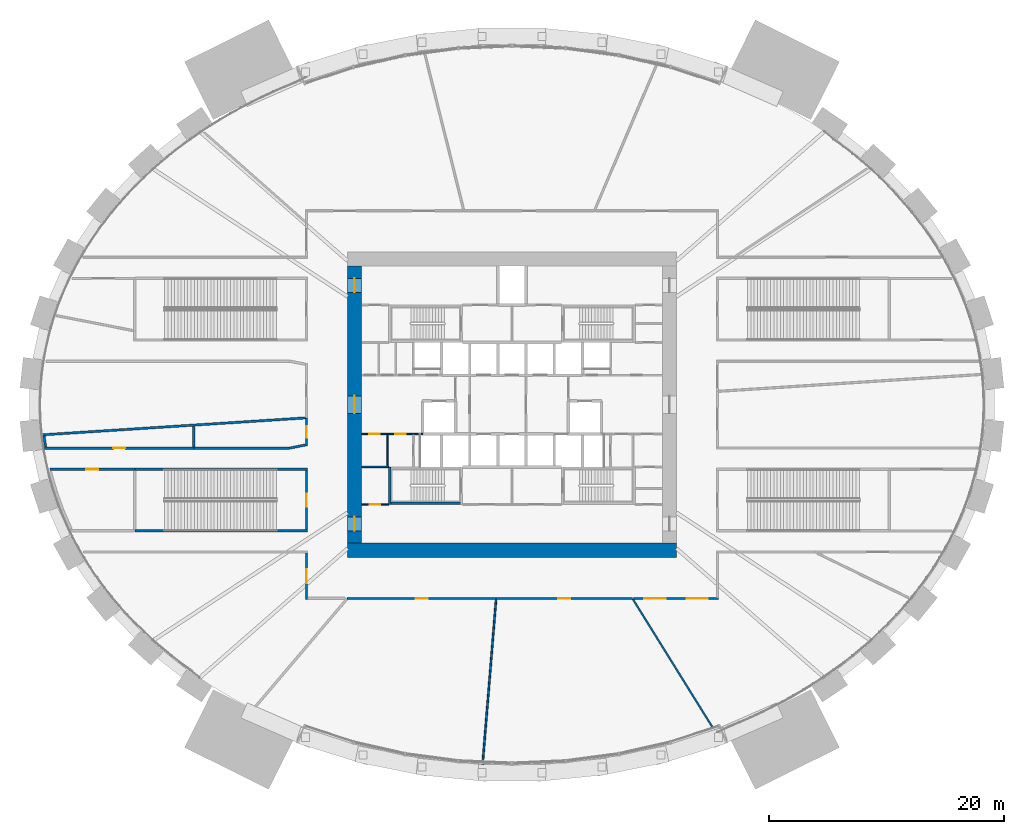
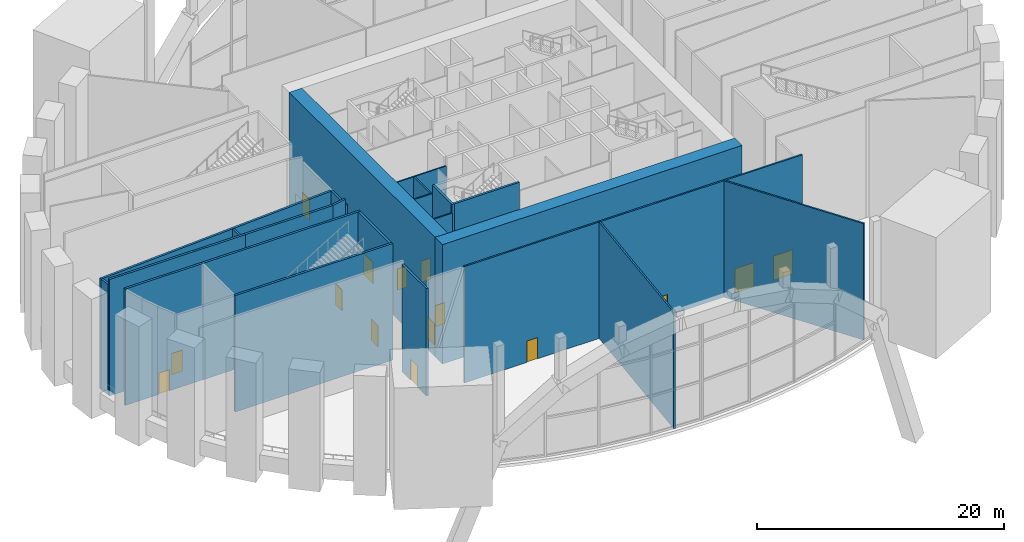
# One storey, part 7 of 21: 25 walls, 15 doors, 15 openings.
"""IFC4 building model written with IfcOpenShell, lengths in metres."""

from ifc_helpers import new_model, si_unit, direction, frame, frame_2d, origin, place, context, subcontext, project, spatial, rectangle, extrude, source, transform, mapped, material, layer, layer_set, type_object, element, fill, save


model = new_model("IFC4")

# Units and contexts
model_context = context("Model", 3, precision=1e-05, world=origin(), true_north=direction((0.0, 1.0)))
body_context = subcontext(model_context, "Body", "Model", "MODEL_VIEW")
ifc_project = project(units=[si_unit("LENGTHUNIT", "METRE"), si_unit("AREAUNIT", "SQUARE_METRE"), si_unit("VOLUMEUNIT", "CUBIC_METRE"), si_unit("PLANEANGLEUNIT", "RADIAN"), si_unit("MASSUNIT", "GRAM", prefix="KILO")], contexts=[model_context])

# Site, building, storey
site_placement = place(None, origin())
site = spatial("IfcSite", under=ifc_project, at=site_placement, CompositionType="ELEMENT")
building_placement = place(site_placement, origin())
building = spatial("IfcBuilding", under=site, at=building_placement, Name="Embergate Tower", CompositionType="ELEMENT")
storey_placement = place(building_placement, frame((0.0, 0.0, 12.0)))
storey = spatial("IfcBuildingStorey", under=building, at=storey_placement, Name="L01", CompositionType="ELEMENT", Elevation=12.0)

# Wall
ifc_material_1 = material(Name="Concrete C80", Category="concrete")
ifc_layer_1 = layer(ifc_material_1, 1.199951171875)
ifc_layer_set_1 = layer_set([ifc_layer_1], Name="Concrete C80")
wall_type_1 = type_object("IfcWallType", Name="Core outer wall C80 1200", PredefinedType="SHEAR", material=ifc_layer_set_1)
shared_shape_1 = source(origin(), body_context, "Body", "SweptSolid", [
    extrude(rectangle(XDim=28.0, YDim=1.199951171875, at=frame_2d((14.0, 0.0))), origin(), (0.0, 0.0, 1.0), 11.800048828125),
])
wall_1_placement = place(storey_placement, frame((-14.0, -12.39990234375, -0.300048828125), z_axis=(0.0, 0.0, 1.0), x_axis=(1.0, 0.0, 0.0)))
element("IfcWall", 1, at=wall_1_placement, inside=storey, type_object=wall_type_1, Name="CW-L01-S", PredefinedType="SHEAR", context=body_context, shape_type="MappedRepresentation", body=[
    mapped(shared_shape_1, transform((0.0, 0.0, 0.0))),
])

# Wall, openings, doors
shared_shape_2 = source(origin(), body_context, "Body", "SweptSolid", [
    extrude(rectangle(XDim=23.60009765625, YDim=1.199951171875, at=frame_2d((11.800048828125, 0.0))), origin(), (0.0, 0.0, 1.0), 11.800048828125),
])
wall_2_placement = place(storey_placement, frame((-13.39990234375, -11.800048828125, -0.300048828125), z_axis=(0.0, 0.0, 1.0), x_axis=(0.0, 1.0, 0.0)))
wall_2 = element("IfcWall", 2, at=wall_2_placement, inside=storey, type_object=wall_type_1, Name="CW-L01-W", PredefinedType="SHEAR", context=body_context, shape_type="MappedRepresentation", body=[
    mapped(shared_shape_2, transform((0.0, 0.0, 0.0))),
])
shared_shape_3 = source(origin(), body_context, "Body", "SweptSolid", [
    extrude(rectangle(XDim=1.199951171875, YDim=2.10009765625, at=frame_2d((0.60009765625, 1.050048828125))), frame((0.0, 0.60986328125, 0.0), z_axis=(0.0, -1.0, 0.0), x_axis=(1.0, 0.0, 0.0)), (0.0, 0.0, 1.0), 1.219970703125),
])
opening_1_placement = place(wall_2_placement, frame((21.35009765625, 0.0, 0.300048828125)))
opening_1 = element("IfcOpeningElement", 3, at=opening_1_placement, cuts=wall_2, Name="Opening IF-1", PredefinedType="OPENING", context=body_context, shape_type="MappedRepresentation", body=[
    mapped(shared_shape_3, transform((0.0, 0.0, 0.0))),
])
opening_2_placement = place(wall_2_placement, frame((1.050048828125, 0.0, 0.300048828125)))
opening_2 = element("IfcOpeningElement", 4, at=opening_2_placement, cuts=wall_2, Name="Opening IF-1", PredefinedType="OPENING", context=body_context, shape_type="MappedRepresentation", body=[
    mapped(shared_shape_3, transform((0.0, 0.0, 0.0))),
])
shared_shape_4 = source(origin(), body_context, "Body", "SweptSolid", [
    extrude(rectangle(XDim=1.5, YDim=2.10009765625, at=frame_2d((0.75, 1.050048828125))), frame((0.0, 0.60986328125, 0.0), z_axis=(0.0, -1.0, 0.0), x_axis=(1.0, 0.0, 0.0)), (0.0, 0.0, 1.0), 1.219970703125),
])
opening_3_placement = place(wall_2_placement, frame((11.050048828125, 0.0, 0.300048828125)))
opening_3 = element("IfcOpeningElement", 5, at=opening_3_placement, cuts=wall_2, Name="Opening IF-3", PredefinedType="OPENING", context=body_context, shape_type="MappedRepresentation", body=[
    mapped(shared_shape_4, transform((0.0, 0.0, 0.0))),
])
ifc_material_2 = material(Name="Escape fire door 1200")
door_type_1 = type_object("IfcDoorType", Name="Escape fire door 1200", OperationType="SINGLE_SWING_LEFT", PredefinedType="DOOR", material=ifc_material_2)
shared_shape_5 = source(origin(), body_context, "Body", "SweptSolid", [
    extrude(rectangle(XDim=1.199951171875, YDim=2.10009765625, at=frame_2d((0.60009765625, 1.050048828125))), frame((0.0, 0.02490234375, 0.0), z_axis=(0.0, -1.0, 0.0), x_axis=(1.0, 0.0, 0.0)), (0.0, 0.0, 1.0), 0.050048828125),
])
door_1_placement = place(opening_1_placement, origin())
door_1 = element("IfcDoor", 6, at=door_1_placement, inside=storey, type_object=door_type_1, Name="IF-1 door", OperationType="SINGLE_SWING_LEFT", OverallHeight=2.10009765625, OverallWidth=1.199951171875, PredefinedType="DOOR", context=body_context, shape_type="MappedRepresentation", body=[
    mapped(shared_shape_5, transform((0.0, 0.0, 0.0))),
])
fill(opening_1, door_1)
door_2_placement = place(opening_2_placement, origin())
door_2 = element("IfcDoor", 7, at=door_2_placement, inside=storey, type_object=door_type_1, Name="IF-1 door", OperationType="SINGLE_SWING_LEFT", OverallHeight=2.10009765625, OverallWidth=1.199951171875, PredefinedType="DOOR", context=body_context, shape_type="MappedRepresentation", body=[
    mapped(shared_shape_5, transform((0.0, 0.0, 0.0))),
])
fill(opening_2, door_2)
ifc_material_3 = material(Name="Lobby fire door pair 1500")
door_type_2 = type_object("IfcDoorType", Name="Lobby fire door pair 1500", OperationType="DOUBLE_DOOR_SINGLE_SWING", PredefinedType="DOOR", material=ifc_material_3)
shared_shape_6 = source(origin(), body_context, "Body", "SweptSolid", [
    extrude(rectangle(XDim=1.5, YDim=2.10009765625, at=frame_2d((0.75, 1.050048828125))), frame((0.0, 0.02490234375, 0.0), z_axis=(0.0, -1.0, 0.0), x_axis=(1.0, 0.0, 0.0)), (0.0, 0.0, 1.0), 0.050048828125),
])
door_3_placement = place(opening_3_placement, origin())
door_3 = element("IfcDoor", 8, at=door_3_placement, inside=storey, type_object=door_type_2, Name="IF-3 door", OperationType="DOUBLE_DOOR_SINGLE_SWING", OverallHeight=2.10009765625, OverallWidth=1.5, PredefinedType="DOOR", context=body_context, shape_type="MappedRepresentation", body=[
    mapped(shared_shape_6, transform((0.0, 0.0, 0.0))),
])
fill(opening_3, door_3)

# Wall
ifc_material_4 = material(Name="Concrete C50", Category="concrete")
ifc_layer_2 = layer(ifc_material_4, 0.199951171875)
ifc_layer_set_2 = layer_set([ifc_layer_2], Name="Concrete C50")
wall_type_2 = type_object("IfcWallType", Name="Stair enclosure wall reinforced concrete 250", PredefinedType="SHEAR", material=ifc_layer_set_2)
shared_shape_7 = source(origin(), body_context, "Body", "SweptSolid", [
    extrude(rectangle(XDim=6.300048828125, YDim=0.199951171875, at=frame_2d((3.14990234375, 0.0))), origin(), (0.0, 0.0, 1.0), 11.5),
])
wall_3_placement = place(storey_placement, frame((-10.5, -8.39990234375, 0.0), z_axis=(0.0, 0.0, 1.0), x_axis=(1.0, 0.0, 0.0)))
element("IfcWall", 9, at=wall_3_placement, inside=storey, type_object=wall_type_2, Name="SE-1 wall", PredefinedType="SHEAR", context=body_context, shape_type="MappedRepresentation", body=[
    mapped(shared_shape_7, transform((0.0, 0.0, 0.0))),
])

# Wall, openings, doors
ifc_material_5 = material(Name="Core partition blockwork 120")
ifc_layer_3 = layer(ifc_material_5, 0.1201171875)
ifc_layer_set_3 = layer_set([ifc_layer_3], Name="Core partition blockwork 120")
wall_type_3 = type_object("IfcWallType", Name="Core partition blockwork 120", PredefinedType="PARTITIONING", material=ifc_layer_set_3)
shared_shape_8 = source(origin(), body_context, "Body", "SweptSolid", [
    extrude(rectangle(XDim=5.199951171875, YDim=0.1201171875, at=frame_2d((2.60009765625, 0.0))), origin(), (0.0, 0.0, 1.0), 10.699951171875),
])
wall_4_placement = place(storey_placement, frame((-7.60009765625, -2.5, 0.0), z_axis=(0.0, 0.0, 1.0), x_axis=(-1.0, 0.0, 0.0)))
wall_4 = element("IfcWall", 10, at=wall_4_placement, inside=storey, type_object=wall_type_3, Name="IP-3 wall", PredefinedType="PARTITIONING", context=body_context, shape_type="MappedRepresentation", body=[
    mapped(shared_shape_8, transform((0.0, 0.0, 0.0))),
])
shared_shape_9 = source(origin(), body_context, "Body", "SweptSolid", [
    extrude(rectangle(XDim=0.89990234375, YDim=2.10009765625, at=frame_2d((0.449951171875, 1.050048828125))), frame((0.0, 0.070068359375, 0.0), z_axis=(0.0, -1.0, 0.0), x_axis=(1.0, 0.0, 0.0)), (0.0, 0.0, 1.0), 0.14013671875),
])
opening_4_placement = place(wall_4_placement, frame((3.64990234375, 0.0, 0.0)))
opening_4 = element("IfcOpeningElement", 11, at=opening_4_placement, cuts=wall_4, Name="Opening ID-1", PredefinedType="OPENING", context=body_context, shape_type="MappedRepresentation", body=[
    mapped(shared_shape_9, transform((0.0, 0.0, 0.0))),
])
opening_5_placement = place(wall_4_placement, frame((1.449951171875, 0.0, 0.0)))
opening_5 = element("IfcOpeningElement", 12, at=opening_5_placement, cuts=wall_4, Name="Opening ID-1", PredefinedType="OPENING", context=body_context, shape_type="MappedRepresentation", body=[
    mapped(shared_shape_9, transform((0.0, 0.0, 0.0))),
])
ifc_material_6 = material(Name="Interior door 900")
door_type_3 = type_object("IfcDoorType", Name="Interior door 900", OperationType="SINGLE_SWING_LEFT", PredefinedType="DOOR", material=ifc_material_6)
shared_shape_10 = source(origin(), body_context, "Body", "SweptSolid", [
    extrude(rectangle(XDim=0.89990234375, YDim=2.10009765625, at=frame_2d((0.449951171875, 1.050048828125))), frame((0.0, 0.02490234375, 0.0), z_axis=(0.0, -1.0, 0.0), x_axis=(1.0, 0.0, 0.0)), (0.0, 0.0, 1.0), 0.050048828125),
])
door_4_placement = place(opening_4_placement, origin())
door_4 = element("IfcDoor", 13, at=door_4_placement, inside=storey, type_object=door_type_3, Name="ID-1 door", OperationType="SINGLE_SWING_RIGHT", OverallHeight=2.10009765625, OverallWidth=0.89990234375, PredefinedType="DOOR", context=body_context, shape_type="MappedRepresentation", body=[
    mapped(shared_shape_10, transform((0.0, 0.0, 0.0))),
])
fill(opening_4, door_4)
door_5_placement = place(opening_5_placement, origin())
door_5 = element("IfcDoor", 14, at=door_5_placement, inside=storey, type_object=door_type_3, Name="ID-1 door", OperationType="SINGLE_SWING_RIGHT", OverallHeight=2.10009765625, OverallWidth=0.89990234375, PredefinedType="DOOR", context=body_context, shape_type="MappedRepresentation", body=[
    mapped(shared_shape_10, transform((0.0, 0.0, 0.0))),
])
fill(opening_5, door_5)

# Wall
shared_shape_11 = source(origin(), body_context, "Body", "SweptSolid", [
    extrude(rectangle(XDim=3.199951171875, YDim=0.199951171875, at=frame_2d((1.60009765625, 0.0))), origin(), (0.0, 0.0, 1.0), 11.5),
])
wall_5_placement = place(storey_placement, frame((-10.39990234375, -5.300048828125, 0.0), z_axis=(0.0, 0.0, 1.0), x_axis=(0.0, -1.0, 0.0)))
element("IfcWall", 15, at=wall_5_placement, inside=storey, type_object=wall_type_2, Name="SE-1 wall", PredefinedType="SHEAR", context=body_context, shape_type="MappedRepresentation", body=[
    mapped(shared_shape_11, transform((0.0, 0.0, 0.0))),
])

# Wall, opening, door
shared_shape_12 = source(origin(), body_context, "Body", "SweptSolid", [
    extrude(rectangle(XDim=2.300048828125, YDim=0.1201171875, at=frame_2d((1.14990234375, 0.0))), origin(), (0.0, 0.0, 1.0), 10.699951171875),
])
wall_6_placement = place(storey_placement, frame((-10.5, -8.5, 0.0), z_axis=(0.0, 0.0, 1.0), x_axis=(-1.0, 0.0, 0.0)))
wall_6 = element("IfcWall", 16, at=wall_6_placement, inside=storey, type_object=wall_type_3, Name="IP-3 wall", PredefinedType="PARTITIONING", context=body_context, shape_type="MappedRepresentation", body=[
    mapped(shared_shape_12, transform((0.0, 0.0, 0.0))),
])
opening_6_placement = place(wall_6_placement, frame((0.699951171875, 0.0, 0.0)))
opening_6 = element("IfcOpeningElement", 17, at=opening_6_placement, cuts=wall_6, Name="Opening ID-1", PredefinedType="OPENING", context=body_context, shape_type="MappedRepresentation", body=[
    mapped(shared_shape_9, transform((0.0, 0.0, 0.0))),
])
door_6_placement = place(opening_6_placement, origin())
door_6 = element("IfcDoor", 18, at=door_6_placement, inside=storey, type_object=door_type_3, Name="ID-1 door", OperationType="SINGLE_SWING_LEFT", OverallHeight=2.10009765625, OverallWidth=0.89990234375, PredefinedType="DOOR", context=body_context, shape_type="MappedRepresentation", body=[
    mapped(shared_shape_10, transform((0.0, 0.0, 0.0))),
])
fill(opening_6, door_6)

# Walls
wall_7_placement = place(storey_placement, frame((-12.800048828125, -5.300048828125, 0.0), z_axis=(0.0, 0.0, 1.0), x_axis=(1.0, 0.0, 0.0)))
element("IfcWall", 19, at=wall_7_placement, inside=storey, type_object=wall_type_3, Name="IP-3 wall", PredefinedType="PARTITIONING", context=body_context, shape_type="MappedRepresentation", body=[
    mapped(shared_shape_12, transform((0.0, 0.0, 0.0))),
])
shared_shape_13 = source(origin(), body_context, "Body", "SweptSolid", [
    extrude(rectangle(XDim=2.679931640625, YDim=0.1201171875, at=frame_2d((1.33984375, 0.0))), origin(), (0.0, 0.0, 1.0), 10.699951171875),
])
wall_8_placement = place(storey_placement, frame((-10.60009765625, -5.239990234375, 0.0), z_axis=(0.0, 0.0, 1.0), x_axis=(0.0, 1.0, 0.0)))
element("IfcWall", 20, at=wall_8_placement, inside=storey, type_object=wall_type_3, Name="IP-3 wall", PredefinedType="PARTITIONING", context=body_context, shape_type="MappedRepresentation", body=[
    mapped(shared_shape_13, transform((0.0, 0.0, 0.0))),
])
ifc_material_7 = material(Name="Blockwork, plastered", Category="masonry")
ifc_layer_4 = layer(ifc_material_7, 0.199951171875)
ifc_layer_set_4 = layer_set([ifc_layer_4], Name="Blockwork, plastered")
wall_type_4 = type_object("IfcWallType", Name="Partition wall 200 block", PredefinedType="PARTITIONING", material=ifc_layer_set_4)
shared_shape_14 = source(origin(), body_context, "Body", "SweptSolid", [
    extrude(rectangle(XDim=0.95556640625, YDim=0.199951171875, at=frame_2d((0.477783203125, 0.0))), origin(), (0.0, 0.0, 1.0), 10.912109375),
])
wall_9_placement = place(storey_placement, frame((-39.7099609375, -3.60107421875, 0.0), z_axis=(0.0, 0.0, 1.0), x_axis=(-0.14127828814, 0.989969921412, 0.0)))
element("IfcWall", 21, at=wall_9_placement, inside=storey, type_object=wall_type_4, Name="Partition 002", PredefinedType="PARTITIONING", context=body_context, shape_type="MappedRepresentation", body=[
    mapped(shared_shape_14, transform((0.0, 0.0, 0.0))),
])

# Wall, opening, door
shared_shape_15 = source(origin(), body_context, "Body", "SweptSolid", [
    extrude(rectangle(XDim=7.222900390625, YDim=0.199951171875, at=frame_2d((3.611328125, 0.0))), origin(), (0.0, 0.0, 1.0), 11.5),
])
wall_10_placement = place(storey_placement, frame((-39.343017578125, -5.5, 0.0), z_axis=(0.0, 0.0, 1.0), x_axis=(1.0, 0.0, 0.0)))
wall_10 = element("IfcWall", 22, at=wall_10_placement, inside=storey, type_object=wall_type_4, Name="Partition 003", PredefinedType="PARTITIONING", context=body_context, shape_type="MappedRepresentation", body=[
    mapped(shared_shape_15, transform((0.0, 0.0, 0.0))),
])
shared_shape_16 = source(origin(), body_context, "Body", "SweptSolid", [
    extrude(rectangle(XDim=1.0, YDim=2.10009765625, at=frame_2d((0.5, 1.050048828125))), frame((0.0, 0.10986328125, 0.0), z_axis=(0.0, -1.0, 0.0), x_axis=(1.0, 0.0, 0.0)), (0.0, 0.0, 1.0), 0.219970703125),
])
opening_7_placement = place(wall_10_placement, frame((3.112060546875, 0.0, 0.0)))
opening_7 = element("IfcOpeningElement", 23, at=opening_7_placement, cuts=wall_10, Name="Opening DS-033", PredefinedType="OPENING", context=body_context, shape_type="MappedRepresentation", body=[
    mapped(shared_shape_16, transform((0.0, 0.0, 0.0))),
])
ifc_material_8 = material(Name="Timber door leaf, steel frame", Category="steel")
door_type_4 = type_object("IfcDoorType", Name="Single door 1000x2100", OperationType="SINGLE_SWING_LEFT", PredefinedType="DOOR", material=ifc_material_8)
shared_shape_17 = source(origin(), body_context, "Body", "SweptSolid", [
    extrude(rectangle(XDim=1.0, YDim=2.10009765625, at=frame_2d((0.5, 1.050048828125))), frame((0.0, 0.02490234375, 0.0), z_axis=(0.0, -1.0, 0.0), x_axis=(1.0, 0.0, 0.0)), (0.0, 0.0, 1.0), 0.050048828125),
])
door_7_placement = place(opening_7_placement, origin())
door_7 = element("IfcDoor", 24, at=door_7_placement, inside=storey, type_object=door_type_4, Name="Door to Baby care toilet", OperationType="SINGLE_SWING_LEFT", OverallHeight=2.10009765625, OverallWidth=1.0, PredefinedType="DOOR", context=body_context, shape_type="MappedRepresentation", body=[
    mapped(shared_shape_17, transform((0.0, 0.0, 0.0))),
])
fill(opening_7, door_7)

# Walls
ifc_material_9 = material(Name="Concrete C40", Category="concrete")
ifc_layer_5 = layer(ifc_material_9, 0.199951171875)
ifc_layer_set_5 = layer_set([ifc_layer_5], Name="Concrete C40")
wall_type_5 = type_object("IfcWallType", Name="Stair enclosure wall RC 200", PredefinedType="STANDARD", material=ifc_layer_set_5)
shared_shape_18 = source(origin(), body_context, "Body", "SweptSolid", [
    extrude(rectangle(XDim=14.72021484375, YDim=0.199951171875, at=frame_2d((7.360107421875, 0.0))), origin(), (0.0, 0.0, 1.0), 11.5),
])
for number, where, z_axis, x_axis, name in (
    (25, (-32.1201171875, -10.75, 0.0), (0.0, 0.0, 1.0), (1.0, 0.0, 0.0), "Stair wall 010"),
    (26, (-17.39990234375, -5.5, 0.0), (0.0, 0.0, 1.0), (-1.0, 0.0, 0.0), "Stair wall 022"),
):
    element("IfcWall", number, at=place(storey_placement, frame(where, z_axis=z_axis, x_axis=x_axis)), inside=storey, type_object=wall_type_5, Name=name, PredefinedType="STANDARD", context=body_context, shape_type="MappedRepresentation", body=[
        mapped(shared_shape_18, transform((0.0, 0.0, 0.0))),
    ])

# Wall, opening, door
shared_shape_19 = source(origin(), body_context, "Body", "SweptSolid", [
    extrude(rectangle(XDim=12.7119140625, YDim=0.199951171875, at=frame_2d((6.35595703125, 0.0))), origin(), (0.0, 0.0, 1.0), 11.5),
])
wall_11_placement = place(storey_placement, frame((-27.083984375, -3.699951171875, 0.0), z_axis=(0.0, 0.0, 1.0), x_axis=(-1.0, 0.0, 0.0)))
wall_11 = element("IfcWall", 27, at=wall_11_placement, inside=storey, type_object=wall_type_4, Name="Partition 016", PredefinedType="PARTITIONING", context=body_context, shape_type="MappedRepresentation", body=[
    mapped(shared_shape_19, transform((0.0, 0.0, 0.0))),
])
opening_8_placement = place(wall_11_placement, frame((5.85595703125, 0.0, 0.0)))
opening_8 = element("IfcOpeningElement", 28, at=opening_8_placement, cuts=wall_11, Name="Opening DS-032", PredefinedType="OPENING", context=body_context, shape_type="MappedRepresentation", body=[
    mapped(shared_shape_16, transform((0.0, 0.0, 0.0))),
])
door_8_placement = place(opening_8_placement, origin())
door_8 = element("IfcDoor", 29, at=door_8_placement, inside=storey, type_object=door_type_4, Name="Door to Baby care toilet", OperationType="SINGLE_SWING_LEFT", OverallHeight=2.10009765625, OverallWidth=1.0, PredefinedType="DOOR", context=body_context, shape_type="MappedRepresentation", body=[
    mapped(shared_shape_17, transform((0.0, 0.0, 0.0))),
])
fill(opening_8, door_8)

# Walls
shared_shape_20 = source(origin(), body_context, "Body", "SweptSolid", [
    extrude(rectangle(XDim=1.756103515625, YDim=0.199951171875, at=frame_2d((0.8779296875, 0.0))), origin(), (0.0, 0.0, 1.0), 10.912109375),
])
wall_12_placement = place(storey_placement, frame((-27.083984375, -3.60009765625, 0.0), z_axis=(0.0, 0.0, 1.0), x_axis=(0.0, 1.0, 0.0)))
element("IfcWall", 30, at=wall_12_placement, inside=storey, type_object=wall_type_4, Name="Partition 017", PredefinedType="PARTITIONING", context=body_context, shape_type="MappedRepresentation", body=[
    mapped(shared_shape_20, transform((0.0, 0.0, 0.0))),
])
shared_shape_21 = source(origin(), body_context, "Body", "SweptSolid", [
    extrude(rectangle(XDim=8.152099609375, YDim=0.199951171875, at=frame_2d((4.076171875, 0.0))), origin(), (0.0, 0.0, 1.0), 11.5),
])
wall_13_placement = place(storey_placement, frame((-18.931884765625, -3.699951171875, 0.0), z_axis=(0.0, 0.0, 1.0), x_axis=(-1.0, 0.0, 0.0)))
element("IfcWall", 31, at=wall_13_placement, inside=storey, type_object=wall_type_4, Name="Partition 018", PredefinedType="PARTITIONING", context=body_context, shape_type="MappedRepresentation", body=[
    mapped(shared_shape_21, transform((0.0, 0.0, 0.0))),
])
shared_shape_22 = source(origin(), body_context, "Body", "SweptSolid", [
    extrude(rectangle(XDim=1.359375, YDim=0.199951171875, at=frame_2d((0.6796875, 0.0))), origin(), (0.0, 0.0, 1.0), 11.5),
])
wall_14_placement = place(storey_placement, frame((-17.597900390625, -3.43896484375, 0.0), z_axis=(0.0, 0.0, 1.0), x_axis=(-0.981394126382, -0.192004085121, 0.0)))
element("IfcWall", 32, at=wall_14_placement, inside=storey, type_object=wall_type_4, Name="Partition 023", PredefinedType="PARTITIONING", context=body_context, shape_type="MappedRepresentation", body=[
    mapped(shared_shape_22, transform((0.0, 0.0, 0.0))),
])

# Wall, opening, door
ifc_layer_6 = layer(ifc_material_7, 0.199951171875)
ifc_layer_set_6 = layer_set([ifc_layer_6], Name="Blockwork, plastered")
wall_type_6 = type_object("IfcWallType", Name="Fire partition wall 200 block", PredefinedType="PARTITIONING", material=ifc_layer_set_6)
shared_shape_23 = source(origin(), body_context, "Body", "SweptSolid", [
    extrude(rectangle(XDim=3.9501953125, YDim=0.199951171875, at=frame_2d((1.97509765625, 0.0))), origin(), (0.0, 0.0, 1.0), 10.60009765625),
])
wall_15_placement = place(storey_placement, frame((-17.5, -16.60009765625, 0.0), z_axis=(0.0, 0.0, 1.0), x_axis=(0.0, 1.0, 0.0)))
wall_15 = element("IfcWall", 33, at=wall_15_placement, inside=storey, type_object=wall_type_6, Name="Partition 020", PredefinedType="PARTITIONING", context=body_context, shape_type="MappedRepresentation", body=[
    mapped(shared_shape_23, transform((0.0, 0.0, 0.0))),
])
shared_shape_24 = source(origin(), body_context, "Body", "SweptSolid", [
    extrude(rectangle(XDim=1.199951171875, YDim=2.10009765625, at=frame_2d((0.60009765625, 1.050048828125))), frame((0.0, 0.10986328125, 0.0), z_axis=(0.0, -1.0, 0.0), x_axis=(1.0, 0.0, 0.0)), (0.0, 0.0, 1.0), 0.219970703125),
])
opening_9_placement = place(wall_15_placement, frame((1.375, 0.0, 0.0)))
opening_9 = element("IfcOpeningElement", 34, at=opening_9_placement, cuts=wall_15, Name="Opening DS-034", PredefinedType="OPENING", context=body_context, shape_type="MappedRepresentation", body=[
    mapped(shared_shape_24, transform((0.0, 0.0, 0.0))),
])
door_type_5 = type_object("IfcDoorType", Name="Plant door 1200x2100", OperationType="SINGLE_SWING_LEFT", PredefinedType="DOOR", material=ifc_material_8)
shared_shape_25 = source(origin(), body_context, "Body", "SweptSolid", [
    extrude(rectangle(XDim=1.199951171875, YDim=2.10009765625, at=frame_2d((0.60009765625, 1.050048828125))), frame((0.0, 0.02490234375, 0.0), z_axis=(0.0, -1.0, 0.0), x_axis=(1.0, 0.0, 0.0)), (0.0, 0.0, 1.0), 0.050048828125),
])
door_9_placement = place(opening_9_placement, origin())
door_9 = element("IfcDoor", 35, at=door_9_placement, inside=storey, type_object=door_type_5, Name="Door to Catering kitchen", OperationType="SINGLE_SWING_LEFT", OverallHeight=2.10009765625, OverallWidth=1.199951171875, PredefinedType="DOOR", context=body_context, shape_type="MappedRepresentation", body=[
    mapped(shared_shape_25, transform((0.0, 0.0, 0.0))),
])
fill(opening_9, door_9)

shared_shape_26 = source(origin(), body_context, "Body", "SweptSolid", [
    extrude(rectangle(XDim=5.0498046875, YDim=0.199951171875, at=frame_2d((2.52490234375, 0.0))), origin(), (0.0, 0.0, 1.0), 11.5),
])
wall_16_placement = place(storey_placement, frame((-17.5, -10.64990234375, 0.0), z_axis=(0.0, 0.0, 1.0), x_axis=(0.0, 1.0, 0.0)))
wall_16 = element("IfcWall", 36, at=wall_16_placement, inside=storey, type_object=wall_type_5, Name="Stair wall 021", PredefinedType="STANDARD", context=body_context, shape_type="MappedRepresentation", body=[
    mapped(shared_shape_26, transform((0.0, 0.0, 0.0))),
])
shared_shape_27 = source(origin(), body_context, "Body", "SweptSolid", [
    extrude(rectangle(XDim=1.10009765625, YDim=2.10009765625, at=frame_2d((0.550048828125, 1.050048828125))), frame((0.0, 0.10986328125, 0.0), z_axis=(0.0, -1.0, 0.0), x_axis=(1.0, 0.0, 0.0)), (0.0, 0.0, 1.0), 0.219970703125),
])
opening_10_placement = place(wall_16_placement, frame((1.97509765625, 0.0, 0.0)))
opening_10 = element("IfcOpeningElement", 37, at=opening_10_placement, cuts=wall_16, Name="Opening DS-045", PredefinedType="OPENING", context=body_context, shape_type="MappedRepresentation", body=[
    mapped(shared_shape_27, transform((0.0, 0.0, 0.0))),
])
ifc_material_10 = material(Name="Steel fire door leaf", Category="steel")
door_type_6 = type_object("IfcDoorType", Name="Fire door class B 1100x2100", OperationType="SINGLE_SWING_LEFT", PredefinedType="DOOR", material=ifc_material_10)
shared_shape_28 = source(origin(), body_context, "Body", "SweptSolid", [
    extrude(rectangle(XDim=1.10009765625, YDim=2.10009765625, at=frame_2d((0.550048828125, 1.050048828125))), frame((0.0, 0.02490234375, 0.0), z_axis=(0.0, -1.0, 0.0), x_axis=(1.0, 0.0, 0.0)), (0.0, 0.0, 1.0), 0.050048828125),
])
door_10_placement = place(opening_10_placement, origin())
door_10 = element("IfcDoor", 38, at=door_10_placement, inside=storey, type_object=door_type_6, Name="Door to Exit stair enclosure", OperationType="SINGLE_SWING_LEFT", OverallHeight=2.10009765625, OverallWidth=1.10009765625, PredefinedType="DOOR", context=body_context, shape_type="MappedRepresentation", body=[
    mapped(shared_shape_28, transform((0.0, 0.0, 0.0))),
])
fill(opening_10, door_10)

shared_shape_29 = source(origin(), body_context, "Body", "SweptSolid", [
    extrude(rectangle(XDim=2.39306640625, YDim=0.199951171875, at=frame_2d((1.196533203125, 0.0))), origin(), (0.0, 0.0, 1.0), 10.912109375),
])
wall_17_placement = place(storey_placement, frame((-17.5, -3.52001953125, 0.0), z_axis=(0.0, 0.0, 1.0), x_axis=(0.0, 1.0, 0.0)))
wall_17 = element("IfcWall", 39, at=wall_17_placement, inside=storey, type_object=wall_type_4, Name="Partition 024", PredefinedType="PARTITIONING", context=body_context, shape_type="MappedRepresentation", body=[
    mapped(shared_shape_29, transform((0.0, 0.0, 0.0))),
])
opening_11_placement = place(wall_17_placement, frame((0.697021484375, 0.0, 0.0)))
opening_11 = element("IfcOpeningElement", 40, at=opening_11_placement, cuts=wall_17, Name="Opening DS-031", PredefinedType="OPENING", context=body_context, shape_type="MappedRepresentation", body=[
    mapped(shared_shape_16, transform((0.0, 0.0, 0.0))),
])
door_11_placement = place(opening_11_placement, origin())
door_11 = element("IfcDoor", 41, at=door_11_placement, inside=storey, type_object=door_type_4, Name="Door to Accessible WC", OperationType="SINGLE_SWING_LEFT", OverallHeight=2.10009765625, OverallWidth=1.0, PredefinedType="DOOR", context=body_context, shape_type="MappedRepresentation", body=[
    mapped(shared_shape_17, transform((0.0, 0.0, 0.0))),
])
fill(opening_11, door_11)

# Wall
shared_shape_30 = source(origin(), body_context, "Body", "SweptSolid", [
    extrude(rectangle(XDim=22.404052734375, YDim=0.199951171875, at=frame_2d((11.2021484375, 0.0))), origin(), (0.0, 0.0, 1.0), 10.912109375),
])
wall_18_placement = place(storey_placement, frame((-17.60009765625, -1.133056640625, 0.0), z_axis=(0.0, 0.0, 1.0), x_axis=(-0.997935279401, -0.064227549595, 0.0)))
element("IfcWall", 42, at=wall_18_placement, inside=storey, type_object=wall_type_4, Name="Partition 025", PredefinedType="PARTITIONING", context=body_context, shape_type="MappedRepresentation", body=[
    mapped(shared_shape_30, transform((0.0, 0.0, 0.0))),
])

# Wall, opening, door
ifc_material_11 = material(Name="Plasterboard on steel stud", Category="steel")
ifc_layer_7 = layer(ifc_material_11, 0.14990234375)
ifc_layer_set_7 = layer_set([ifc_layer_7], Name="Plasterboard on steel stud")
wall_type_7 = type_object("IfcWallType", Name="Partition wall 150 board", PredefinedType="PARTITIONING", material=ifc_layer_set_7)
shared_shape_31 = source(origin(), body_context, "Body", "SweptSolid", [
    extrude(rectangle(XDim=12.664794921875, YDim=0.14990234375, at=frame_2d((6.33251953125, 0.0))), origin(), (0.0, 0.0, 1.0), 11.5),
])
wall_19_placement = place(storey_placement, frame((-1.34912109375, -16.5, 0.0), z_axis=(0.0, 0.0, 1.0), x_axis=(-1.0, 0.0, 0.0)))
wall_19 = element("IfcWall", 43, at=wall_19_placement, inside=storey, type_object=wall_type_7, Name="Partition 038", PredefinedType="PARTITIONING", context=body_context, shape_type="MappedRepresentation", body=[
    mapped(shared_shape_31, transform((0.0, 0.0, 0.0))),
])
shared_shape_32 = source(origin(), body_context, "Body", "SweptSolid", [
    extrude(rectangle(XDim=1.0, YDim=2.10009765625, at=frame_2d((0.5, 1.050048828125))), frame((0.0, 0.0849609375, 0.0), z_axis=(0.0, -1.0, 0.0), x_axis=(1.0, 0.0, 0.0)), (0.0, 0.0, 1.0), 0.169921875),
])
opening_12_placement = place(wall_19_placement, frame((5.83203125, 0.0, 0.0)))
opening_12 = element("IfcOpeningElement", 44, at=opening_12_placement, cuts=wall_19, Name="Opening DS-035", PredefinedType="OPENING", context=body_context, shape_type="MappedRepresentation", body=[
    mapped(shared_shape_32, transform((0.0, 0.0, 0.0))),
])
door_12_placement = place(opening_12_placement, origin())
door_12 = element("IfcDoor", 45, at=door_12_placement, inside=storey, type_object=door_type_4, Name="Door to Delivery and waste store", OperationType="SINGLE_SWING_LEFT", OverallHeight=2.10009765625, OverallWidth=1.0, PredefinedType="DOOR", context=body_context, shape_type="MappedRepresentation", body=[
    mapped(shared_shape_17, transform((0.0, 0.0, 0.0))),
])
fill(opening_12, door_12)

# Wall
shared_shape_33 = source(origin(), body_context, "Body", "SweptSolid", [
    extrude(rectangle(XDim=14.11083984375, YDim=0.14990234375, at=frame_2d((7.055419921875, 0.0))), origin(), (0.0, 0.0, 1.0), 11.5),
])
wall_20_placement = place(storey_placement, frame((-1.35498046875, -16.574951171875, 0.0), z_axis=(0.0, 0.0, 1.0), x_axis=(-0.081421638136, -0.99667974638, 0.0)))
element("IfcWall", 46, at=wall_20_placement, inside=storey, type_object=wall_type_7, Name="Partition 039", PredefinedType="PARTITIONING", context=body_context, shape_type="MappedRepresentation", body=[
    mapped(shared_shape_33, transform((0.0, 0.0, 0.0))),
])

# Wall, opening, door
shared_shape_34 = source(origin(), body_context, "Body", "SweptSolid", [
    extrude(rectangle(XDim=11.60107421875, YDim=0.14990234375, at=frame_2d((5.800537109375, 0.0))), origin(), (0.0, 0.0, 1.0), 11.5),
])
wall_21_placement = place(storey_placement, frame((10.251953125, -16.5, 0.0), z_axis=(0.0, 0.0, 1.0), x_axis=(-1.0, 0.0, 0.0)))
wall_21 = element("IfcWall", 47, at=wall_21_placement, inside=storey, type_object=wall_type_7, Name="Partition 042", PredefinedType="PARTITIONING", context=body_context, shape_type="MappedRepresentation", body=[
    mapped(shared_shape_34, transform((0.0, 0.0, 0.0))),
])
opening_13_placement = place(wall_21_placement, frame((5.301025390625, 0.0, 0.0)))
opening_13 = element("IfcOpeningElement", 48, at=opening_13_placement, cuts=wall_21, Name="Opening DS-036", PredefinedType="OPENING", context=body_context, shape_type="MappedRepresentation", body=[
    mapped(shared_shape_32, transform((0.0, 0.0, 0.0))),
])
door_13_placement = place(opening_13_placement, origin())
door_13 = element("IfcDoor", 49, at=door_13_placement, inside=storey, type_object=door_type_4, Name="Door to Staff room", OperationType="SINGLE_SWING_LEFT", OverallHeight=2.10009765625, OverallWidth=1.0, PredefinedType="DOOR", context=body_context, shape_type="MappedRepresentation", body=[
    mapped(shared_shape_17, transform((0.0, 0.0, 0.0))),
])
fill(opening_13, door_13)

# Wall
shared_shape_35 = source(origin(), body_context, "Body", "SweptSolid", [
    extrude(rectangle(XDim=12.808349609375, YDim=0.14990234375, at=frame_2d((6.404296875, 0.0))), origin(), (0.0, 0.0, 1.0), 11.5),
])
wall_22_placement = place(storey_placement, frame((10.2919921875, -16.56396484375, 0.0), z_axis=(0.0, 0.0, 1.0), x_axis=(0.527781764728, -0.849380014376, 0.0)))
element("IfcWall", 50, at=wall_22_placement, inside=storey, type_object=wall_type_7, Name="Partition 043", PredefinedType="PARTITIONING", context=body_context, shape_type="MappedRepresentation", body=[
    mapped(shared_shape_35, transform((0.0, 0.0, 0.0))),
])

# Wall, openings, doors
shared_shape_36 = source(origin(), body_context, "Body", "SweptSolid", [
    extrude(rectangle(XDim=7.202880859375, YDim=0.14990234375, at=frame_2d((3.6015625, 0.0))), origin(), (0.0, 0.0, 1.0), 11.5),
])
wall_23_placement = place(storey_placement, frame((17.574951171875, -16.5, 0.0), z_axis=(0.0, 0.0, 1.0), x_axis=(-1.0, 0.0, 0.0)))
wall_23 = element("IfcWall", 51, at=wall_23_placement, inside=storey, type_object=wall_type_7, Name="Partition 044", PredefinedType="PARTITIONING", context=body_context, shape_type="MappedRepresentation", body=[
    mapped(shared_shape_36, transform((0.0, 0.0, 0.0))),
])
shared_shape_37 = source(origin(), body_context, "Body", "SweptSolid", [
    extrude(rectangle(XDim=1.800048828125, YDim=2.39990234375, at=frame_2d((0.89990234375, 1.199951171875))), frame((0.0, 0.0849609375, 0.0), z_axis=(0.0, -1.0, 0.0), x_axis=(1.0, 0.0, 0.0)), (0.0, 0.0, 1.0), 0.169921875),
])
opening_14_placement = place(wall_23_placement, frame((0.90087890625, 0.0, 0.0)))
opening_14 = element("IfcOpeningElement", 52, at=opening_14_placement, cuts=wall_23, Name="Opening DS-037", PredefinedType="OPENING", context=body_context, shape_type="MappedRepresentation", body=[
    mapped(shared_shape_37, transform((0.0, 0.0, 0.0))),
])
opening_15_placement = place(wall_23_placement, frame((4.501953125, 0.0, 0.0)))
opening_15 = element("IfcOpeningElement", 53, at=opening_15_placement, cuts=wall_23, Name="Opening DS-038", PredefinedType="OPENING", context=body_context, shape_type="MappedRepresentation", body=[
    mapped(shared_shape_37, transform((0.0, 0.0, 0.0))),
])
door_type_7 = type_object("IfcDoorType", Name="Double door 1800x2400", OperationType="DOUBLE_DOOR_SINGLE_SWING", PredefinedType="DOOR", material=ifc_material_8)
shared_shape_38 = source(origin(), body_context, "Body", "SweptSolid", [
    extrude(rectangle(XDim=1.800048828125, YDim=2.39990234375, at=frame_2d((0.89990234375, 1.199951171875))), frame((0.0, 0.02490234375, 0.0), z_axis=(0.0, -1.0, 0.0), x_axis=(1.0, 0.0, 0.0)), (0.0, 0.0, 1.0), 0.050048828125),
])
door_14_placement = place(opening_14_placement, origin())
door_14 = element("IfcDoor", 54, at=door_14_placement, inside=storey, type_object=door_type_7, Name="Door to Restaurant", OperationType="SINGLE_SWING_LEFT", OverallHeight=2.39990234375, OverallWidth=1.800048828125, PredefinedType="DOOR", context=body_context, shape_type="MappedRepresentation", body=[
    mapped(shared_shape_38, transform((0.0, 0.0, 0.0))),
])
fill(opening_14, door_14)
door_15_placement = place(opening_15_placement, origin())
door_15 = element("IfcDoor", 55, at=door_15_placement, inside=storey, type_object=door_type_7, Name="Door to Restaurant", OperationType="SINGLE_SWING_LEFT", OverallHeight=2.39990234375, OverallWidth=1.800048828125, PredefinedType="DOOR", context=body_context, shape_type="MappedRepresentation", body=[
    mapped(shared_shape_38, transform((0.0, 0.0, 0.0))),
])
fill(opening_15, door_15)

save(model, "model.ifc")
